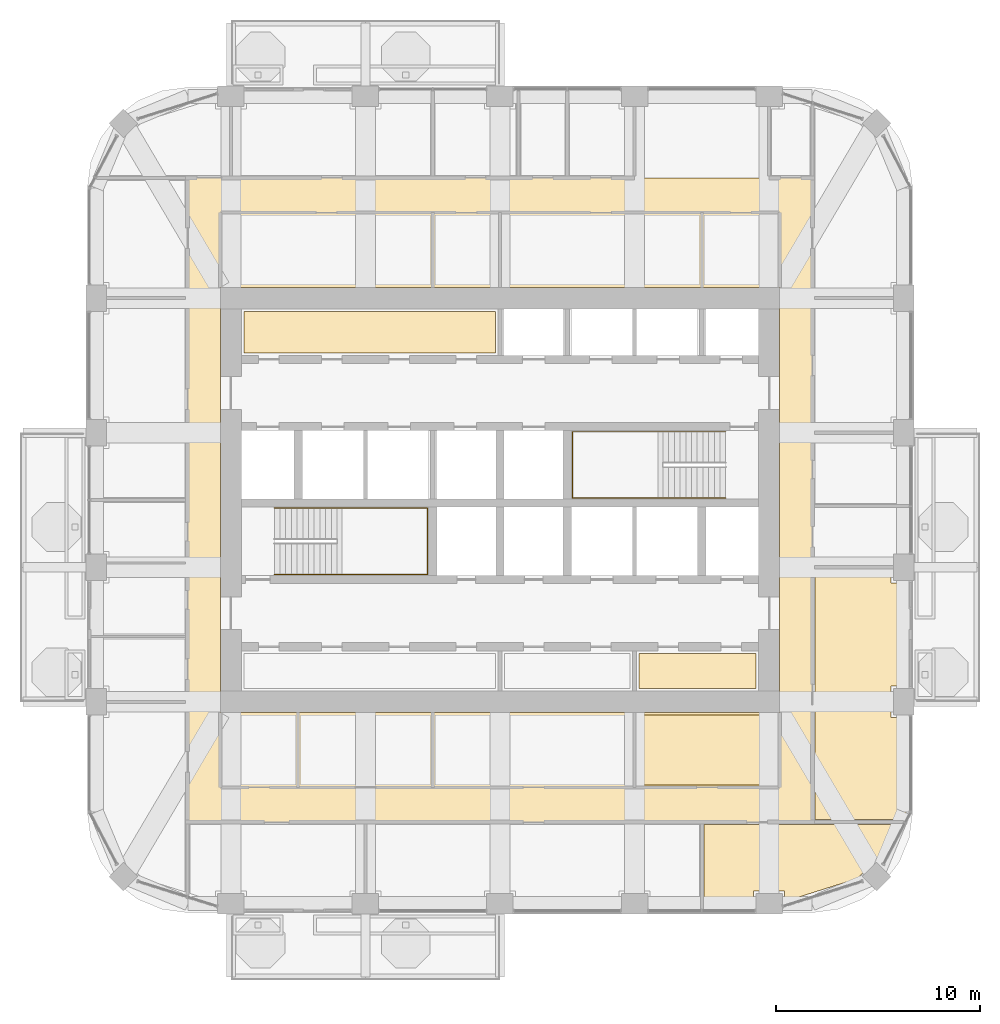
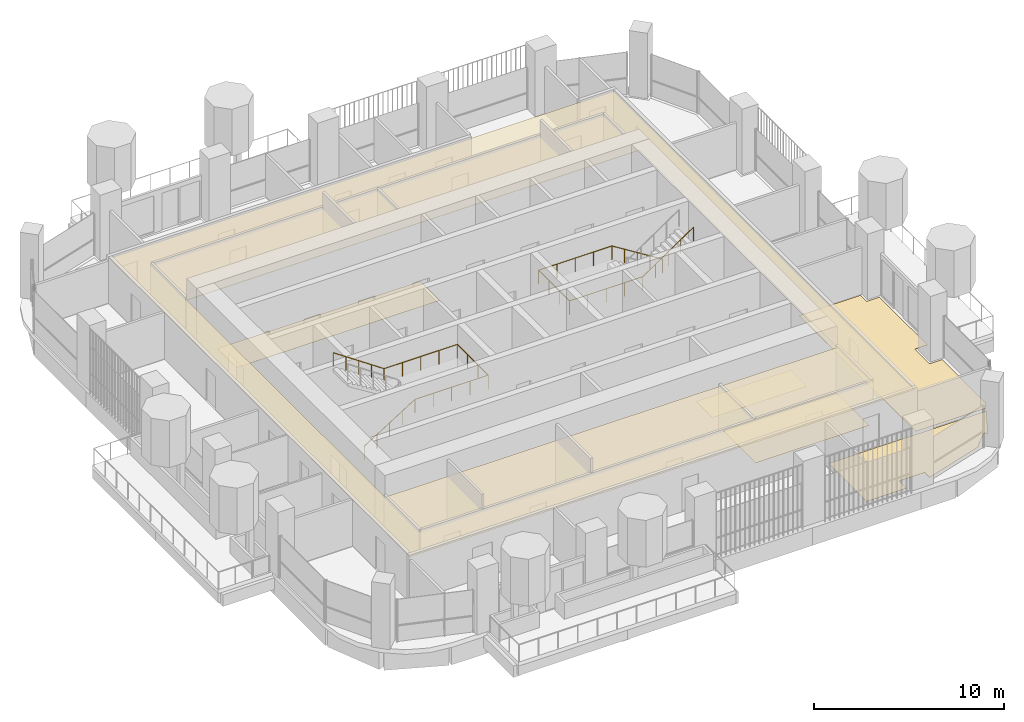
# One storey, part 17 of 20: 6 coverings, 2 railings.
"""IFC4 building model written with IfcOpenShell, lengths in metres."""

from ifc_helpers import new_model, si_unit, direction, frame, origin, place, context, subcontext, project, spatial, polyline, outline, extrude, material, layer, layer_set, type_object, element, save


model = new_model("IFC4")

# Units and contexts
model_context = context("Model", 3, precision=1e-05, world=origin(), true_north=direction((0.0, 1.0)))
body_context = subcontext(model_context, "Body", "Model", "MODEL_VIEW")
ifc_project = project(units=[si_unit("LENGTHUNIT", "METRE"), si_unit("AREAUNIT", "SQUARE_METRE"), si_unit("VOLUMEUNIT", "CUBIC_METRE"), si_unit("PLANEANGLEUNIT", "RADIAN"), si_unit("MASSUNIT", "GRAM", prefix="KILO")], contexts=[model_context])

# Site, building, storey
site_placement = place(None, origin())
site = spatial("IfcSite", under=ifc_project, at=site_placement, CompositionType="ELEMENT")
building_placement = place(site_placement, origin())
building = spatial("IfcBuilding", under=site, at=building_placement, Name="Cobogo Forest Laboratory Tower", CompositionType="ELEMENT")
storey_placement = place(building_placement, frame((0.0, 0.0, 246.0)))
storey = spatial("IfcBuildingStorey", under=building, at=storey_placement, Name="L56", CompositionType="ELEMENT", Elevation=246.0)

# Coverings
ifc_material_1 = material(Name="Mineral fibre ceiling tile", Category="ceiling")
ifc_layer_1 = layer(ifc_material_1, 0.02001953125)
ifc_layer_set_1 = layer_set([ifc_layer_1], Name="CL1 suspended ceiling")
covering_type_1 = type_object("IfcCoveringType", Name="CL1 suspended ceiling", PredefinedType="CEILING", material=ifc_layer_set_1)
covering_1_placement = place(storey_placement, frame((0.0, 0.0, 2.800048828125)))
element("IfcCovering", 1, at=covering_1_placement, inside=storey, type_object=covering_type_1, Name="Corridor ceiling L56", PredefinedType="CEILING", context=body_context, shape_type="SweptSolid", body=[
    extrude(outline(polyline([(11.074951171875, 7.300048828125), (11.074951171875, 38.89990234375), (41.72509765625, 38.89990234375), (41.72509765625, 7.300048828125), (11.074951171875, 7.300048828125)]), holes=[polyline([(40.125, 33.52490234375), (12.675048828125, 33.52490234375), (12.675048828125, 12.675048828125), (40.125, 12.675048828125), (40.125, 33.52490234375)])]), origin(), (0.0, 0.0, 1.0), 0.02001953125),
])
ifc_material_2 = material(Name="Carpet tile on raised access floor", Category="flooring")
ifc_layer_2 = layer(ifc_material_2, 0.008056640625)
ifc_layer_set_2 = layer_set([ifc_layer_2], Name="CT1 carpet tile floor 8")
covering_type_2 = type_object("IfcCoveringType", Name="CT1 carpet tile floor 8", PredefinedType="FLOORING", material=ifc_layer_set_2)
covering_2_placement = place(storey_placement, origin())
element("IfcCovering", 2, at=covering_2_placement, inside=storey, type_object=covering_type_2, Name="Carpet floor L56-08", PredefinedType="FLOORING", context=body_context, shape_type="SweptSolid", body=[
    extrude(outline(polyline([(40.0048828125, 9.1201171875), (33.1201171875, 9.1201171875), (33.1201171875, 12.554931640625), (40.0048828125, 12.554931640625), (40.0048828125, 9.1201171875)])), origin(), (0.0, 0.0, 1.0), 0.008056640625),
])
covering_3_placement = place(storey_placement, origin())
element("IfcCovering", 3, at=covering_3_placement, inside=storey, type_object=covering_type_2, Name="Carpet floor L56-11", PredefinedType="FLOORING", context=body_context, shape_type="SweptSolid", body=[
    extrude(outline(polyline([(44.05615234375, 4.56689453125), (40.3701171875, 3.40283203125), (40.3701171875, 3.919921875), (38.830078125, 3.919921875), (38.830078125, 3.14990234375), (36.419921875, 3.14990234375), (36.419921875, 7.179931640625), (45.999267578125, 7.179931640625), (45.035400390625, 5.34130859375), (44.882080078125, 5.494873046875), (44.005126953125, 4.617919921875), (44.05615234375, 4.56689453125)])), origin(), (0.0, 0.0, 1.0), 0.008056640625),
])
covering_4_placement = place(storey_placement, origin())
element("IfcCovering", 4, at=covering_4_placement, inside=storey, type_object=covering_type_2, Name="Carpet floor L56-12", PredefinedType="FLOORING", context=body_context, shape_type="SweptSolid", body=[
    extrude(outline(polyline([(41.844970703125, 19.679931640625), (45.580078125, 19.679931640625), (45.580078125, 19.030029296875), (46.35009765625, 19.030029296875), (46.35009765625, 13.969970703125), (45.580078125, 13.969970703125), (45.580078125, 12.429931640625), (46.35009765625, 12.429931640625), (46.35009765625, 7.84912109375), (46.125, 7.419921875), (41.844970703125, 7.419921875), (41.844970703125, 19.679931640625)])), origin(), (0.0, 0.0, 1.0), 0.008056640625),
])
covering_5_placement = place(storey_placement, origin())
element("IfcCovering", 5, at=covering_5_placement, inside=storey, type_object=covering_type_2, Name="Carpet floor L56-38", PredefinedType="FLOORING", context=body_context, shape_type="SweptSolid", body=[
    extrude(outline(polyline([(38.955078125, 13.844970703125), (33.219970703125, 13.844970703125), (33.219970703125, 15.580078125), (38.955078125, 15.580078125), (38.955078125, 13.844970703125)])), origin(), (0.0, 0.0, 1.0), 0.008056640625),
])
covering_6_placement = place(storey_placement, origin())
element("IfcCovering", 6, at=covering_6_placement, inside=storey, type_object=covering_type_2, Name="Carpet floor L56-39", PredefinedType="FLOORING", context=body_context, shape_type="SweptSolid", body=[
    extrude(outline(polyline([(26.179931640625, 30.320068359375), (13.844970703125, 30.320068359375), (13.844970703125, 32.35498046875), (26.179931640625, 32.35498046875), (26.179931640625, 30.320068359375)])), origin(), (0.0, 0.0, 1.0), 0.008056640625),
])

# Railings
ifc_material_3 = material(Name="Stainless steel handrail", Category="steel")
railing_type = type_object("IfcRailingType", Name="HR handrail 900", PredefinedType="HANDRAIL", material=ifc_material_3)
railing_1_placement = place(storey_placement, frame((15.324951171875, 19.449951171875, 0.175048828125)))
element("IfcRailing", 7, at=railing_1_placement, inside=storey, type_object=railing_type, Name="Stair handrail ST1 L56", PredefinedType="HANDRAIL", context=body_context, shape_type="SweptSolid", body=[
    extrude(outline(polyline([(0.022216796875, 0.00927734375), (0.00927734375, 0.022216796875), (-0.00927734375, 0.022216796875), (-0.022216796875, 0.00927734375), (-0.022216796875, -0.00927734375), (-0.00927734375, -0.022216796875), (0.00927734375, -0.022216796875), (0.022216796875, -0.00927734375), (0.022216796875, 0.00927734375)])), frame((0.0, 0.0, 0.877685546875), z_axis=(0.847998304005, 0.0, 0.529998940003), x_axis=(0.0, 1.0, 0.0)), (0.0, 0.0, 1.0), 3.632080078125),
    extrude(outline(polyline([(0.022216796875, 0.00927734375), (0.00927734375, 0.022216796875), (-0.00927734375, 0.022216796875), (-0.022216796875, 0.00927734375), (-0.022216796875, -0.00927734375), (-0.00927734375, -0.022216796875), (0.00927734375, -0.022216796875), (0.022216796875, -0.00927734375), (0.022216796875, 0.00927734375)])), frame((3.080078125, 0.0, 2.802734375), z_axis=(1.0, 0.0, 0.0), x_axis=(0.0, 1.0, 0.0)), (0.0, 0.0, 1.0), 4.445068359375),
    extrude(outline(polyline([(0.022216796875, 0.00927734375), (0.00927734375, 0.022216796875), (-0.00927734375, 0.022216796875), (-0.022216796875, 0.00927734375), (-0.022216796875, -0.00927734375), (-0.00927734375, -0.022216796875), (0.00927734375, -0.022216796875), (0.022216796875, -0.00927734375), (0.022216796875, 0.00927734375)])), frame((7.525146484375, 0.0, 2.802734375), z_axis=(0.0, 1.0, 0.0), x_axis=(-1.0, 0.0, 0.0)), (0.0, 0.0, 1.0), 3.25),
    extrude(outline(polyline([(0.022216796875, 0.00927734375), (0.00927734375, 0.022216796875), (-0.00927734375, 0.022216796875), (-0.022216796875, 0.00927734375), (-0.022216796875, -0.00927734375), (-0.00927734375, -0.022216796875), (0.00927734375, -0.022216796875), (0.022216796875, -0.00927734375), (0.022216796875, 0.00927734375)])), frame((7.525146484375, 3.25, 2.802734375), z_axis=(-1.0, 0.0, 0.0), x_axis=(0.0, -1.0, 0.0)), (0.0, 0.0, 1.0), 4.445068359375),
    extrude(outline(polyline([(0.022216796875, 0.00927734375), (0.00927734375, 0.022216796875), (-0.00927734375, 0.022216796875), (-0.022216796875, 0.00927734375), (-0.022216796875, -0.00927734375), (-0.00927734375, -0.022216796875), (0.00927734375, -0.022216796875), (0.022216796875, -0.00927734375), (0.022216796875, 0.00927734375)])), frame((3.080078125, 3.25, 2.802734375), z_axis=(-0.826252282691, 0.0, 0.563300244406), x_axis=(0.0, -1.0, 0.0)), (0.0, 0.0, 1.0), 3.727783203125),
    extrude(outline(polyline([(0.019287109375, 0.008056640625), (0.008056640625, 0.019287109375), (-0.008056640625, 0.019287109375), (-0.019287109375, 0.008056640625), (-0.019287109375, -0.008056640625), (-0.008056640625, -0.019287109375), (0.008056640625, -0.019287109375), (0.019287109375, -0.008056640625), (0.019287109375, 0.008056640625)])), origin(), (0.0, 0.0, 1.0), 0.877685546875),
    extrude(outline(polyline([(0.019287109375, 0.008056640625), (0.008056640625, 0.019287109375), (-0.008056640625, 0.019287109375), (-0.019287109375, 0.008056640625), (-0.019287109375, -0.008056640625), (-0.008056640625, -0.019287109375), (0.008056640625, -0.019287109375), (0.019287109375, -0.008056640625), (0.019287109375, 0.008056640625)])), frame((0.77001953125, 0.0, 0.481201171875)), (0.0, 0.0, 1.0), 0.877685546875),
    extrude(outline(polyline([(0.019287109375, 0.008056640625), (0.008056640625, 0.019287109375), (-0.008056640625, 0.019287109375), (-0.019287109375, 0.008056640625), (-0.019287109375, -0.008056640625), (-0.008056640625, -0.019287109375), (0.008056640625, -0.019287109375), (0.019287109375, -0.008056640625), (0.019287109375, 0.008056640625)])), frame((1.5400390625, 0.0, 0.96240234375)), (0.0, 0.0, 1.0), 0.877685546875),
    extrude(outline(polyline([(0.019287109375, 0.008056640625), (0.008056640625, 0.019287109375), (-0.008056640625, 0.019287109375), (-0.019287109375, 0.008056640625), (-0.019287109375, -0.008056640625), (-0.008056640625, -0.019287109375), (0.008056640625, -0.019287109375), (0.019287109375, -0.008056640625), (0.019287109375, 0.008056640625)])), frame((2.31005859375, 0.0, 1.44384765625)), (0.0, 0.0, 1.0), 0.877685546875),
    extrude(outline(polyline([(0.019287109375, 0.008056640625), (0.008056640625, 0.019287109375), (-0.008056640625, 0.019287109375), (-0.019287109375, 0.008056640625), (-0.019287109375, -0.008056640625), (-0.008056640625, -0.019287109375), (0.008056640625, -0.019287109375), (0.019287109375, -0.008056640625), (0.019287109375, 0.008056640625)])), frame((3.080078125, 0.0, 1.925048828125)), (0.0, 0.0, 1.0), 0.877685546875),
    extrude(outline(polyline([(0.019287109375, 0.008056640625), (0.008056640625, 0.019287109375), (-0.008056640625, 0.019287109375), (-0.019287109375, 0.008056640625), (-0.019287109375, -0.008056640625), (-0.008056640625, -0.019287109375), (0.008056640625, -0.019287109375), (0.019287109375, -0.008056640625), (0.019287109375, 0.008056640625)])), frame((4.19140625, 0.0, 1.925048828125)), (0.0, 0.0, 1.0), 0.877685546875),
    extrude(outline(polyline([(0.019287109375, 0.008056640625), (0.008056640625, 0.019287109375), (-0.008056640625, 0.019287109375), (-0.019287109375, 0.008056640625), (-0.019287109375, -0.008056640625), (-0.008056640625, -0.019287109375), (0.008056640625, -0.019287109375), (0.019287109375, -0.008056640625), (0.019287109375, 0.008056640625)])), frame((5.302734375, 0.0, 1.925048828125)), (0.0, 0.0, 1.0), 0.877685546875),
    extrude(outline(polyline([(0.019287109375, 0.008056640625), (0.008056640625, 0.019287109375), (-0.008056640625, 0.019287109375), (-0.019287109375, 0.008056640625), (-0.019287109375, -0.008056640625), (-0.008056640625, -0.019287109375), (0.008056640625, -0.019287109375), (0.019287109375, -0.008056640625), (0.019287109375, 0.008056640625)])), frame((6.413818359375, 0.0, 1.925048828125)), (0.0, 0.0, 1.0), 0.877685546875),
    extrude(outline(polyline([(0.019287109375, 0.008056640625), (0.008056640625, 0.019287109375), (-0.008056640625, 0.019287109375), (-0.019287109375, 0.008056640625), (-0.019287109375, -0.008056640625), (-0.008056640625, -0.019287109375), (0.008056640625, -0.019287109375), (0.019287109375, -0.008056640625), (0.019287109375, 0.008056640625)])), frame((7.525146484375, 0.0, 1.925048828125)), (0.0, 0.0, 1.0), 0.877685546875),
    extrude(outline(polyline([(0.019287109375, 0.008056640625), (0.008056640625, 0.019287109375), (-0.008056640625, 0.019287109375), (-0.019287109375, 0.008056640625), (-0.019287109375, -0.008056640625), (-0.008056640625, -0.019287109375), (0.008056640625, -0.019287109375), (0.019287109375, -0.008056640625), (0.019287109375, 0.008056640625)])), frame((7.525146484375, 1.083251953125, 1.925048828125)), (0.0, 0.0, 1.0), 0.877685546875),
    extrude(outline(polyline([(0.019287109375, 0.008056640625), (0.008056640625, 0.019287109375), (-0.008056640625, 0.019287109375), (-0.019287109375, 0.008056640625), (-0.019287109375, -0.008056640625), (-0.008056640625, -0.019287109375), (0.008056640625, -0.019287109375), (0.019287109375, -0.008056640625), (0.019287109375, 0.008056640625)])), frame((7.525146484375, 2.166748046875, 1.925048828125)), (0.0, 0.0, 1.0), 0.877685546875),
    extrude(outline(polyline([(0.019287109375, 0.008056640625), (0.008056640625, 0.019287109375), (-0.008056640625, 0.019287109375), (-0.019287109375, 0.008056640625), (-0.019287109375, -0.008056640625), (-0.008056640625, -0.019287109375), (0.008056640625, -0.019287109375), (0.019287109375, -0.008056640625), (0.019287109375, 0.008056640625)])), frame((7.525146484375, 3.25, 1.925048828125)), (0.0, 0.0, 1.0), 0.877685546875),
    extrude(outline(polyline([(0.019287109375, 0.008056640625), (0.008056640625, 0.019287109375), (-0.008056640625, 0.019287109375), (-0.019287109375, 0.008056640625), (-0.019287109375, -0.008056640625), (-0.008056640625, -0.019287109375), (0.008056640625, -0.019287109375), (0.019287109375, -0.008056640625), (0.019287109375, 0.008056640625)])), frame((6.413818359375, 3.25, 1.925048828125)), (0.0, 0.0, 1.0), 0.877685546875),
    extrude(outline(polyline([(0.019287109375, 0.008056640625), (0.008056640625, 0.019287109375), (-0.008056640625, 0.019287109375), (-0.019287109375, 0.008056640625), (-0.019287109375, -0.008056640625), (-0.008056640625, -0.019287109375), (0.008056640625, -0.019287109375), (0.019287109375, -0.008056640625), (0.019287109375, 0.008056640625)])), frame((5.302734375, 3.25, 1.925048828125)), (0.0, 0.0, 1.0), 0.877685546875),
    extrude(outline(polyline([(0.019287109375, 0.008056640625), (0.008056640625, 0.019287109375), (-0.008056640625, 0.019287109375), (-0.019287109375, 0.008056640625), (-0.019287109375, -0.008056640625), (-0.008056640625, -0.019287109375), (0.008056640625, -0.019287109375), (0.019287109375, -0.008056640625), (0.019287109375, 0.008056640625)])), frame((4.19140625, 3.25, 1.925048828125)), (0.0, 0.0, 1.0), 0.877685546875),
    extrude(outline(polyline([(0.019287109375, 0.008056640625), (0.008056640625, 0.019287109375), (-0.008056640625, 0.019287109375), (-0.019287109375, 0.008056640625), (-0.019287109375, -0.008056640625), (-0.008056640625, -0.019287109375), (0.008056640625, -0.019287109375), (0.019287109375, -0.008056640625), (0.019287109375, 0.008056640625)])), frame((3.080078125, 3.25, 1.925048828125)), (0.0, 0.0, 1.0), 0.877685546875),
    extrude(outline(polyline([(0.019287109375, 0.008056640625), (0.008056640625, 0.019287109375), (-0.008056640625, 0.019287109375), (-0.019287109375, 0.008056640625), (-0.019287109375, -0.008056640625), (-0.008056640625, -0.019287109375), (0.008056640625, -0.019287109375), (0.019287109375, -0.008056640625), (0.019287109375, 0.008056640625)])), frame((2.31005859375, 3.25, 2.449951171875)), (0.0, 0.0, 1.0), 0.877685546875),
    extrude(outline(polyline([(0.019287109375, 0.008056640625), (0.008056640625, 0.019287109375), (-0.008056640625, 0.019287109375), (-0.019287109375, 0.008056640625), (-0.019287109375, -0.008056640625), (-0.008056640625, -0.019287109375), (0.008056640625, -0.019287109375), (0.019287109375, -0.008056640625), (0.019287109375, 0.008056640625)])), frame((1.5400390625, 3.25, 2.97509765625)), (0.0, 0.0, 1.0), 0.877685546875),
    extrude(outline(polyline([(0.019287109375, 0.008056640625), (0.008056640625, 0.019287109375), (-0.008056640625, 0.019287109375), (-0.019287109375, 0.008056640625), (-0.019287109375, -0.008056640625), (-0.008056640625, -0.019287109375), (0.008056640625, -0.019287109375), (0.019287109375, -0.008056640625), (0.019287109375, 0.008056640625)])), frame((0.77001953125, 3.25, 3.5)), (0.0, 0.0, 1.0), 0.877685546875),
    extrude(outline(polyline([(0.019287109375, 0.008056640625), (0.008056640625, 0.019287109375), (-0.008056640625, 0.019287109375), (-0.019287109375, 0.008056640625), (-0.019287109375, -0.008056640625), (-0.008056640625, -0.019287109375), (0.008056640625, -0.019287109375), (0.019287109375, -0.008056640625), (0.019287109375, 0.008056640625)])), frame((0.0, 3.25, 4.02490234375)), (0.0, 0.0, 1.0), 0.877685546875),
])
railing_2_placement = place(storey_placement, frame((37.47509765625, 26.449951171875, 0.175048828125)))
element("IfcRailing", 8, at=railing_2_placement, inside=storey, type_object=railing_type, Name="Stair handrail ST2 L56", PredefinedType="HANDRAIL", context=body_context, shape_type="SweptSolid", body=[
    extrude(outline(polyline([(0.022216796875, 0.00927734375), (0.00927734375, 0.022216796875), (-0.00927734375, 0.022216796875), (-0.022216796875, 0.00927734375), (-0.022216796875, -0.00927734375), (-0.00927734375, -0.022216796875), (0.00927734375, -0.022216796875), (0.022216796875, -0.00927734375), (0.022216796875, 0.00927734375)])), frame((0.0, 0.0, 0.877685546875), z_axis=(-0.847998304005, 0.0, 0.529998940003), x_axis=(0.0, -1.0, 0.0)), (0.0, 0.0, 1.0), 3.632080078125),
    extrude(outline(polyline([(0.022216796875, 0.00927734375), (0.00927734375, 0.022216796875), (-0.00927734375, 0.022216796875), (-0.022216796875, 0.00927734375), (-0.022216796875, -0.00927734375), (-0.00927734375, -0.022216796875), (0.00927734375, -0.022216796875), (0.022216796875, -0.00927734375), (0.022216796875, 0.00927734375)])), frame((-3.080078125, 0.0, 2.802734375), z_axis=(-1.0, 0.0, 0.0), x_axis=(0.0, -1.0, 0.0)), (0.0, 0.0, 1.0), 4.445068359375),
    extrude(outline(polyline([(0.022216796875, 0.00927734375), (0.00927734375, 0.022216796875), (-0.00927734375, 0.022216796875), (-0.022216796875, 0.00927734375), (-0.022216796875, -0.00927734375), (-0.00927734375, -0.022216796875), (0.00927734375, -0.022216796875), (0.022216796875, -0.00927734375), (0.022216796875, 0.00927734375)])), frame((-7.525146484375, 0.0, 2.802734375), z_axis=(0.0, -1.0, 0.0), x_axis=(1.0, 0.0, 0.0)), (0.0, 0.0, 1.0), 3.25),
    extrude(outline(polyline([(0.022216796875, 0.00927734375), (0.00927734375, 0.022216796875), (-0.00927734375, 0.022216796875), (-0.022216796875, 0.00927734375), (-0.022216796875, -0.00927734375), (-0.00927734375, -0.022216796875), (0.00927734375, -0.022216796875), (0.022216796875, -0.00927734375), (0.022216796875, 0.00927734375)])), frame((-7.525146484375, -3.25, 2.802734375), z_axis=(1.0, 0.0, 0.0), x_axis=(0.0, 1.0, 0.0)), (0.0, 0.0, 1.0), 4.445068359375),
    extrude(outline(polyline([(0.022216796875, 0.00927734375), (0.00927734375, 0.022216796875), (-0.00927734375, 0.022216796875), (-0.022216796875, 0.00927734375), (-0.022216796875, -0.00927734375), (-0.00927734375, -0.022216796875), (0.00927734375, -0.022216796875), (0.022216796875, -0.00927734375), (0.022216796875, 0.00927734375)])), frame((-3.080078125, -3.25, 2.802734375), z_axis=(0.826252282691, 0.0, 0.563300244406), x_axis=(0.0, 1.0, 0.0)), (0.0, 0.0, 1.0), 3.727783203125),
    extrude(outline(polyline([(0.019287109375, 0.008056640625), (0.008056640625, 0.019287109375), (-0.008056640625, 0.019287109375), (-0.019287109375, 0.008056640625), (-0.019287109375, -0.008056640625), (-0.008056640625, -0.019287109375), (0.008056640625, -0.019287109375), (0.019287109375, -0.008056640625), (0.019287109375, 0.008056640625)])), origin(), (0.0, 0.0, 1.0), 0.877685546875),
    extrude(outline(polyline([(0.019287109375, 0.008056640625), (0.008056640625, 0.019287109375), (-0.008056640625, 0.019287109375), (-0.019287109375, 0.008056640625), (-0.019287109375, -0.008056640625), (-0.008056640625, -0.019287109375), (0.008056640625, -0.019287109375), (0.019287109375, -0.008056640625), (0.019287109375, 0.008056640625)])), frame((-0.77001953125, 0.0, 0.481201171875)), (0.0, 0.0, 1.0), 0.877685546875),
    extrude(outline(polyline([(0.019287109375, 0.008056640625), (0.008056640625, 0.019287109375), (-0.008056640625, 0.019287109375), (-0.019287109375, 0.008056640625), (-0.019287109375, -0.008056640625), (-0.008056640625, -0.019287109375), (0.008056640625, -0.019287109375), (0.019287109375, -0.008056640625), (0.019287109375, 0.008056640625)])), frame((-1.5400390625, 0.0, 0.96240234375)), (0.0, 0.0, 1.0), 0.877685546875),
    extrude(outline(polyline([(0.019287109375, 0.008056640625), (0.008056640625, 0.019287109375), (-0.008056640625, 0.019287109375), (-0.019287109375, 0.008056640625), (-0.019287109375, -0.008056640625), (-0.008056640625, -0.019287109375), (0.008056640625, -0.019287109375), (0.019287109375, -0.008056640625), (0.019287109375, 0.008056640625)])), frame((-2.31005859375, 0.0, 1.44384765625)), (0.0, 0.0, 1.0), 0.877685546875),
    extrude(outline(polyline([(0.019287109375, 0.008056640625), (0.008056640625, 0.019287109375), (-0.008056640625, 0.019287109375), (-0.019287109375, 0.008056640625), (-0.019287109375, -0.008056640625), (-0.008056640625, -0.019287109375), (0.008056640625, -0.019287109375), (0.019287109375, -0.008056640625), (0.019287109375, 0.008056640625)])), frame((-3.080078125, 0.0, 1.925048828125)), (0.0, 0.0, 1.0), 0.877685546875),
    extrude(outline(polyline([(0.019287109375, 0.008056640625), (0.008056640625, 0.019287109375), (-0.008056640625, 0.019287109375), (-0.019287109375, 0.008056640625), (-0.019287109375, -0.008056640625), (-0.008056640625, -0.019287109375), (0.008056640625, -0.019287109375), (0.019287109375, -0.008056640625), (0.019287109375, 0.008056640625)])), frame((-4.19140625, 0.0, 1.925048828125)), (0.0, 0.0, 1.0), 0.877685546875),
    extrude(outline(polyline([(0.019287109375, 0.008056640625), (0.008056640625, 0.019287109375), (-0.008056640625, 0.019287109375), (-0.019287109375, 0.008056640625), (-0.019287109375, -0.008056640625), (-0.008056640625, -0.019287109375), (0.008056640625, -0.019287109375), (0.019287109375, -0.008056640625), (0.019287109375, 0.008056640625)])), frame((-5.302734375, 0.0, 1.925048828125)), (0.0, 0.0, 1.0), 0.877685546875),
    extrude(outline(polyline([(0.019287109375, 0.008056640625), (0.008056640625, 0.019287109375), (-0.008056640625, 0.019287109375), (-0.019287109375, 0.008056640625), (-0.019287109375, -0.008056640625), (-0.008056640625, -0.019287109375), (0.008056640625, -0.019287109375), (0.019287109375, -0.008056640625), (0.019287109375, 0.008056640625)])), frame((-6.413818359375, 0.0, 1.925048828125)), (0.0, 0.0, 1.0), 0.877685546875),
    extrude(outline(polyline([(0.019287109375, 0.008056640625), (0.008056640625, 0.019287109375), (-0.008056640625, 0.019287109375), (-0.019287109375, 0.008056640625), (-0.019287109375, -0.008056640625), (-0.008056640625, -0.019287109375), (0.008056640625, -0.019287109375), (0.019287109375, -0.008056640625), (0.019287109375, 0.008056640625)])), frame((-7.525146484375, 0.0, 1.925048828125)), (0.0, 0.0, 1.0), 0.877685546875),
    extrude(outline(polyline([(0.019287109375, 0.008056640625), (0.008056640625, 0.019287109375), (-0.008056640625, 0.019287109375), (-0.019287109375, 0.008056640625), (-0.019287109375, -0.008056640625), (-0.008056640625, -0.019287109375), (0.008056640625, -0.019287109375), (0.019287109375, -0.008056640625), (0.019287109375, 0.008056640625)])), frame((-7.525146484375, -1.083251953125, 1.925048828125)), (0.0, 0.0, 1.0), 0.877685546875),
    extrude(outline(polyline([(0.019287109375, 0.008056640625), (0.008056640625, 0.019287109375), (-0.008056640625, 0.019287109375), (-0.019287109375, 0.008056640625), (-0.019287109375, -0.008056640625), (-0.008056640625, -0.019287109375), (0.008056640625, -0.019287109375), (0.019287109375, -0.008056640625), (0.019287109375, 0.008056640625)])), frame((-7.525146484375, -2.166748046875, 1.925048828125)), (0.0, 0.0, 1.0), 0.877685546875),
    extrude(outline(polyline([(0.019287109375, 0.008056640625), (0.008056640625, 0.019287109375), (-0.008056640625, 0.019287109375), (-0.019287109375, 0.008056640625), (-0.019287109375, -0.008056640625), (-0.008056640625, -0.019287109375), (0.008056640625, -0.019287109375), (0.019287109375, -0.008056640625), (0.019287109375, 0.008056640625)])), frame((-7.525146484375, -3.25, 1.925048828125)), (0.0, 0.0, 1.0), 0.877685546875),
    extrude(outline(polyline([(0.019287109375, 0.008056640625), (0.008056640625, 0.019287109375), (-0.008056640625, 0.019287109375), (-0.019287109375, 0.008056640625), (-0.019287109375, -0.008056640625), (-0.008056640625, -0.019287109375), (0.008056640625, -0.019287109375), (0.019287109375, -0.008056640625), (0.019287109375, 0.008056640625)])), frame((-6.413818359375, -3.25, 1.925048828125)), (0.0, 0.0, 1.0), 0.877685546875),
    extrude(outline(polyline([(0.019287109375, 0.008056640625), (0.008056640625, 0.019287109375), (-0.008056640625, 0.019287109375), (-0.019287109375, 0.008056640625), (-0.019287109375, -0.008056640625), (-0.008056640625, -0.019287109375), (0.008056640625, -0.019287109375), (0.019287109375, -0.008056640625), (0.019287109375, 0.008056640625)])), frame((-5.302734375, -3.25, 1.925048828125)), (0.0, 0.0, 1.0), 0.877685546875),
    extrude(outline(polyline([(0.019287109375, 0.008056640625), (0.008056640625, 0.019287109375), (-0.008056640625, 0.019287109375), (-0.019287109375, 0.008056640625), (-0.019287109375, -0.008056640625), (-0.008056640625, -0.019287109375), (0.008056640625, -0.019287109375), (0.019287109375, -0.008056640625), (0.019287109375, 0.008056640625)])), frame((-4.19140625, -3.25, 1.925048828125)), (0.0, 0.0, 1.0), 0.877685546875),
    extrude(outline(polyline([(0.019287109375, 0.008056640625), (0.008056640625, 0.019287109375), (-0.008056640625, 0.019287109375), (-0.019287109375, 0.008056640625), (-0.019287109375, -0.008056640625), (-0.008056640625, -0.019287109375), (0.008056640625, -0.019287109375), (0.019287109375, -0.008056640625), (0.019287109375, 0.008056640625)])), frame((-3.080078125, -3.25, 1.925048828125)), (0.0, 0.0, 1.0), 0.877685546875),
    extrude(outline(polyline([(0.019287109375, 0.008056640625), (0.008056640625, 0.019287109375), (-0.008056640625, 0.019287109375), (-0.019287109375, 0.008056640625), (-0.019287109375, -0.008056640625), (-0.008056640625, -0.019287109375), (0.008056640625, -0.019287109375), (0.019287109375, -0.008056640625), (0.019287109375, 0.008056640625)])), frame((-2.31005859375, -3.25, 2.449951171875)), (0.0, 0.0, 1.0), 0.877685546875),
    extrude(outline(polyline([(0.019287109375, 0.008056640625), (0.008056640625, 0.019287109375), (-0.008056640625, 0.019287109375), (-0.019287109375, 0.008056640625), (-0.019287109375, -0.008056640625), (-0.008056640625, -0.019287109375), (0.008056640625, -0.019287109375), (0.019287109375, -0.008056640625), (0.019287109375, 0.008056640625)])), frame((-1.5400390625, -3.25, 2.97509765625)), (0.0, 0.0, 1.0), 0.877685546875),
    extrude(outline(polyline([(0.019287109375, 0.008056640625), (0.008056640625, 0.019287109375), (-0.008056640625, 0.019287109375), (-0.019287109375, 0.008056640625), (-0.019287109375, -0.008056640625), (-0.008056640625, -0.019287109375), (0.008056640625, -0.019287109375), (0.019287109375, -0.008056640625), (0.019287109375, 0.008056640625)])), frame((-0.77001953125, -3.25, 3.5)), (0.0, 0.0, 1.0), 0.877685546875),
    extrude(outline(polyline([(0.019287109375, 0.008056640625), (0.008056640625, 0.019287109375), (-0.008056640625, 0.019287109375), (-0.019287109375, 0.008056640625), (-0.019287109375, -0.008056640625), (-0.008056640625, -0.019287109375), (0.008056640625, -0.019287109375), (0.019287109375, -0.008056640625), (0.019287109375, 0.008056640625)])), frame((0.0, -3.25, 4.02490234375)), (0.0, 0.0, 1.0), 0.877685546875),
])

save(model, "model.ifc")
